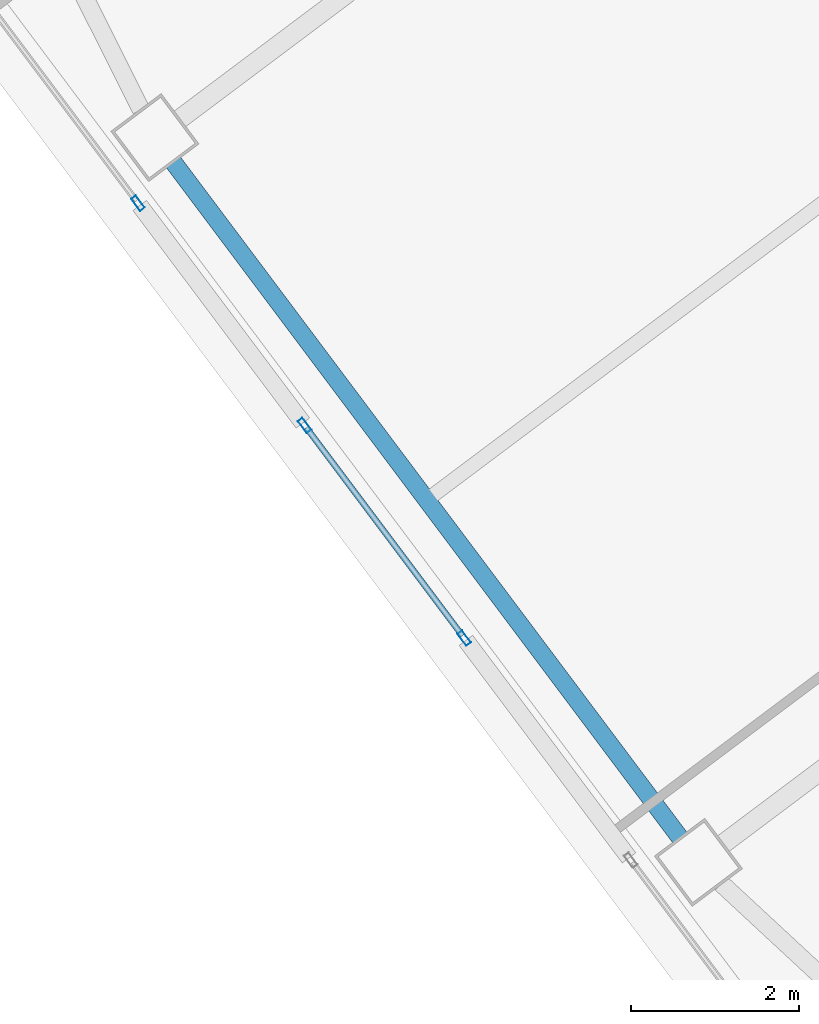
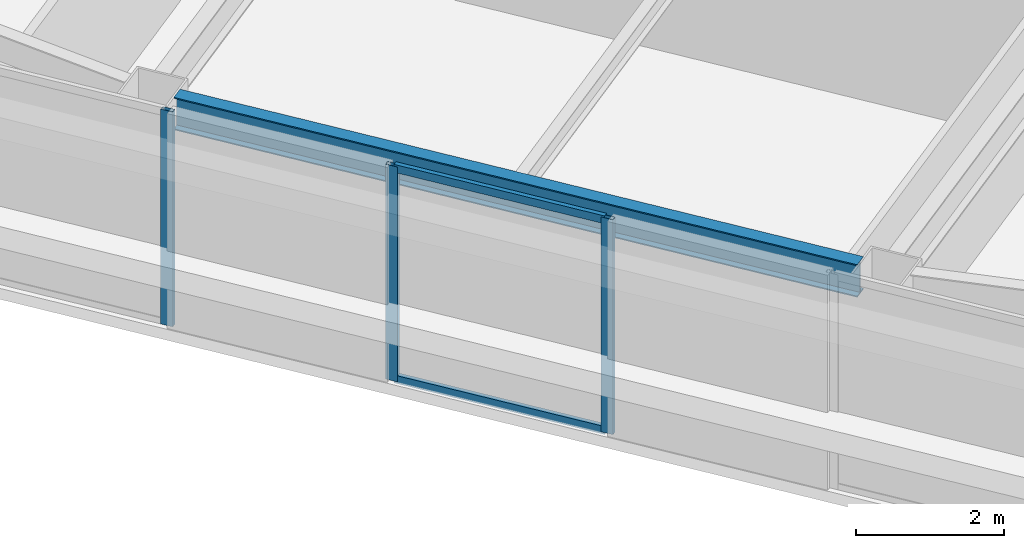
# One storey, part 16 of 43: 5 members, 1 beam, 2 elements without a shape of their own.
"""IFC4 building model written with IfcOpenShell, lengths in metres."""

from ifc_helpers import new_model, si_unit, direction, frame, origin, origin_2d, place, context, subcontext, project, spatial, hollow_rectangle, i_section, extrude, material, material_profile, profile_set, type_object, element, aggregate, save


model = new_model("IFC4")

# Units and contexts
model_context = context("Model", 3, precision=1e-05, world=origin(), true_north=direction((0.0, 1.0)))
body_context = subcontext(model_context, "Body", "Model", "MODEL_VIEW")
ifc_project = project(units=[si_unit("LENGTHUNIT", "METRE"), si_unit("AREAUNIT", "SQUARE_METRE"), si_unit("VOLUMEUNIT", "CUBIC_METRE"), si_unit("PLANEANGLEUNIT", "RADIAN"), si_unit("MASSUNIT", "GRAM", prefix="KILO")], contexts=[model_context])

# Site, building, storey
site_placement = place(None, origin())
site = spatial("IfcSite", under=ifc_project, at=site_placement, CompositionType="ELEMENT")
building_placement = place(site_placement, origin())
building = spatial("IfcBuilding", under=site, at=building_placement, Name="Tashvorn Skyway Center", CompositionType="ELEMENT")
storey_placement = place(building_placement, frame((0.0, 0.0, 188.949951171875)))
storey = spatial("IfcBuildingStorey", under=building, at=storey_placement, Name="L51", CompositionType="ELEMENT", Elevation=188.949951171875)

# Beam
ifc_material_1 = material(Name="Steel ASTM A992 Grade 50", Category="steel")
ifc_material_profile_1 = material_profile(ifc_material_1, i_section(OverallWidth=0.2109375, OverallDepth=0.5390625, WebThickness=0.01171875, FlangeThickness=0.018798828125, at=origin_2d()), Name="W21X73")
ifc_profile_set_1 = profile_set([ifc_material_profile_1], Name="Steel ASTM A992 Grade 50")
beam_type = type_object("IfcBeamType", Name="BM-SPANDREL-W21X73", PredefinedType="SPANDREL", material=ifc_profile_set_1)
beam_placement = place(storey_placement, frame((98.06201171875, 26.333984375, 3.1005859375), z_axis=(0.599988351091, -0.800008736549, 0.0), x_axis=(0.800008736549, 0.599988351091, 0.0)))
element("IfcBeam", 1, at=beam_placement, inside=storey, type_object=beam_type, Name="Tower 2 L51 Spandrel Beam 11", PredefinedType="SPANDREL", context=body_context, shape_type="SweptSolid", body=[
    extrude(i_section(OverallWidth=0.2109375, OverallDepth=0.5390625, WebThickness=0.01171875, FlangeThickness=0.018798828125, at=origin_2d()), origin(), (0.0, 0.0, 1.0), 10.06005859375),
])

# Curtain wall, members
ifc_material_2 = material(Name="Thermally broken bronze-anodized aluminium 6063-T6", Category="aluminium")
curtain_wall_type = type_object("IfcCurtainWallType", Name="CW-CW-Z4", PredefinedType="NOTDEFINED", material=ifc_material_2)
curtain_wall_1_placement = place(storey_placement, origin())
curtain_wall_1 = element("IfcCurtainWall", 2, at=curtain_wall_1_placement, inside=storey, type_object=curtain_wall_type, Name="Tower 2 L51 West Unitised Curtain Wall Glazing Group 2", PredefinedType="NOTDEFINED")
ifc_material_profile_2 = material_profile(ifc_material_2, hollow_rectangle(XDim=0.070068359375, YDim=0.179931640625, WallThickness=0.00390625, at=origin_2d()), Name="ALU-MULL-70x180")
ifc_profile_set_2 = profile_set([ifc_material_profile_2], Name="Thermally broken bronze-anodized aluminium 6063-T6")
member_type_1 = type_object("IfcMemberType", Name="CWM-CW-Z4", PredefinedType="MULLION", material=ifc_profile_set_2)
member_1_placement = place(storey_placement, frame((101.527099609375, 20.6640625, 0.0), z_axis=(0.0, 0.0, 1.0), x_axis=(-0.799999999998, -0.600000000002, 0.0)))
member_1 = element("IfcMember", 3, at=member_1_placement, type_object=member_type_1, Name="CW-Z4 mullion 1", PredefinedType="MULLION", context=body_context, shape_type="SweptSolid", body=[
    extrude(hollow_rectangle(XDim=0.070068359375, YDim=0.179931640625, WallThickness=0.00390625, at=origin_2d()), origin(), (0.0, 0.0, 1.0), 3.550048828125),
])
member_2_placement = place(storey_placement, frame((99.625, 23.199951171875, 0.0), z_axis=(0.0, 0.0, 1.0), x_axis=(-0.799999999998, -0.600000000002, 0.0)))
member_2 = element("IfcMember", 4, at=member_2_placement, type_object=member_type_1, Name="CW-Z4 mullion 2", PredefinedType="MULLION", context=body_context, shape_type="SweptSolid", body=[
    extrude(hollow_rectangle(XDim=0.070068359375, YDim=0.179931640625, WallThickness=0.00390625, at=origin_2d()), origin(), (0.0, 0.0, 1.0), 3.550048828125),
])

# Curtain wall, member
curtain_wall_2_placement = place(storey_placement, origin())
curtain_wall_2 = element("IfcCurtainWall", 5, at=curtain_wall_2_placement, inside=storey, type_object=curtain_wall_type, Name="Tower 2 L51 West Unitised Curtain Wall Glazing Group 3", PredefinedType="NOTDEFINED")
member_3_placement = place(storey_placement, frame((97.638916015625, 25.847900390625, 0.0), z_axis=(0.0, 0.0, 1.0), x_axis=(-0.799999999998, -0.600000000002, 0.0)))
member_3 = element("IfcMember", 6, at=member_3_placement, type_object=member_type_1, Name="CW-Z4 mullion 1", PredefinedType="MULLION", context=body_context, shape_type="SweptSolid", body=[
    extrude(hollow_rectangle(XDim=0.070068359375, YDim=0.179931640625, WallThickness=0.00390625, at=origin_2d()), origin(), (0.0, 0.0, 1.0), 3.550048828125),
])
aggregate(curtain_wall_2, [member_3])

# Member
ifc_material_profile_3 = material_profile(ifc_material_2, hollow_rectangle(XDim=0.070068359375, YDim=0.1298828125, WallThickness=0.00390625, at=origin_2d()), Name="ALU-TRAN-70x130")
ifc_profile_set_3 = profile_set([ifc_material_profile_3], Name="Thermally broken bronze-anodized aluminium 6063-T6")
member_type_2 = type_object("IfcMemberType", Name="CWT-CW-Z4", PredefinedType="USERDEFINED", material=ifc_profile_set_3)
member_4_placement = place(storey_placement, frame((101.506103515625, 20.69189453125, 0.03515625), z_axis=(-0.599987400111, 0.800009449761, 0.0), x_axis=(-0.800009449761, -0.599987400111, 0.0)))
member_4 = element("IfcMember", 7, at=member_4_placement, type_object=member_type_2, Name="CW-Z4 transom 1.1", ObjectType="TRANSOM", PredefinedType="USERDEFINED", context=body_context, shape_type="SweptSolid", body=[
    extrude(hollow_rectangle(XDim=0.070068359375, YDim=0.1298828125, WallThickness=0.00390625, at=origin_2d()), origin(), (0.0, 0.0, 1.0), 3.100341796875),
])

member_5_placement = place(storey_placement, frame((101.506103515625, 20.69189453125, 3.51513671875), z_axis=(-0.599987400111, 0.800009449761, 0.0), x_axis=(-0.800009449761, -0.599987400111, 0.0)))
member_5 = element("IfcMember", 8, at=member_5_placement, type_object=member_type_2, Name="CW-Z4 transom 1.2", ObjectType="TRANSOM", PredefinedType="USERDEFINED", context=body_context, shape_type="SweptSolid", body=[
    extrude(hollow_rectangle(XDim=0.070068359375, YDim=0.1298828125, WallThickness=0.00390625, at=origin_2d()), origin(), (0.0, 0.0, 1.0), 3.100341796875),
])

aggregate(curtain_wall_1, [member_1, member_2, member_4, member_5])

save(model, "model.ifc")
